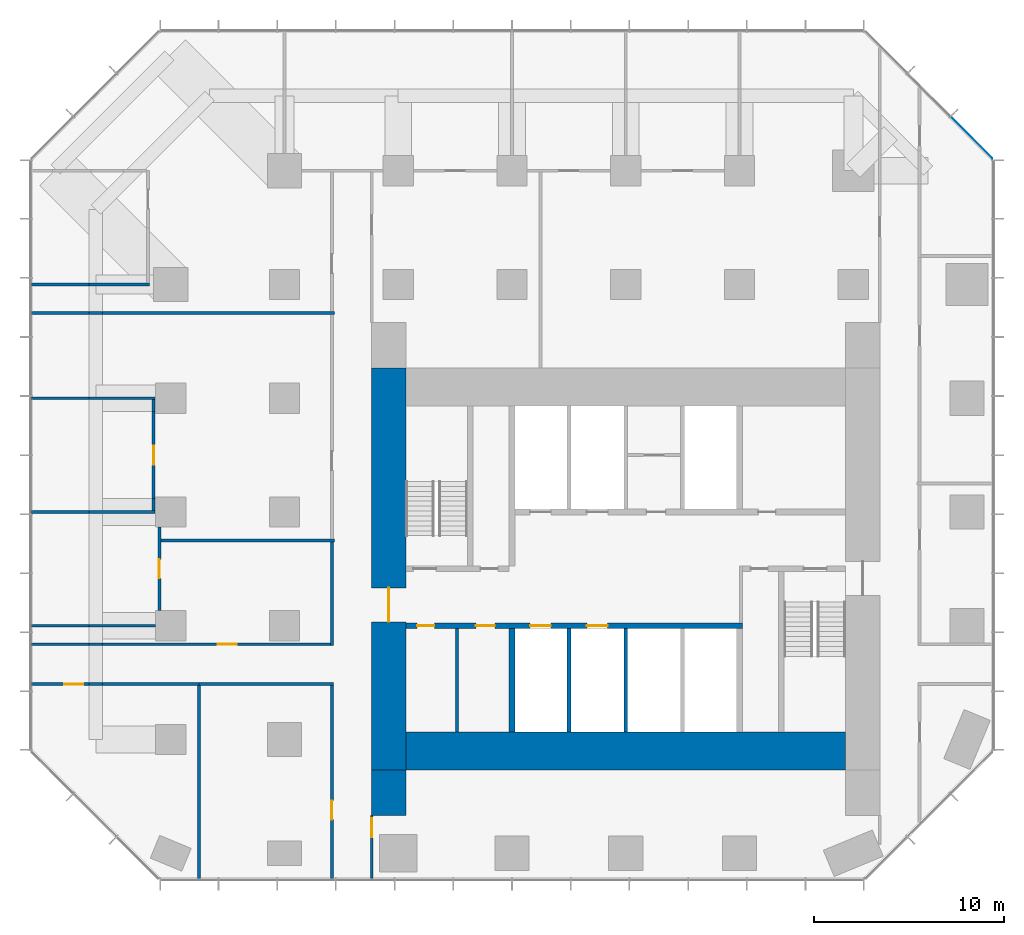
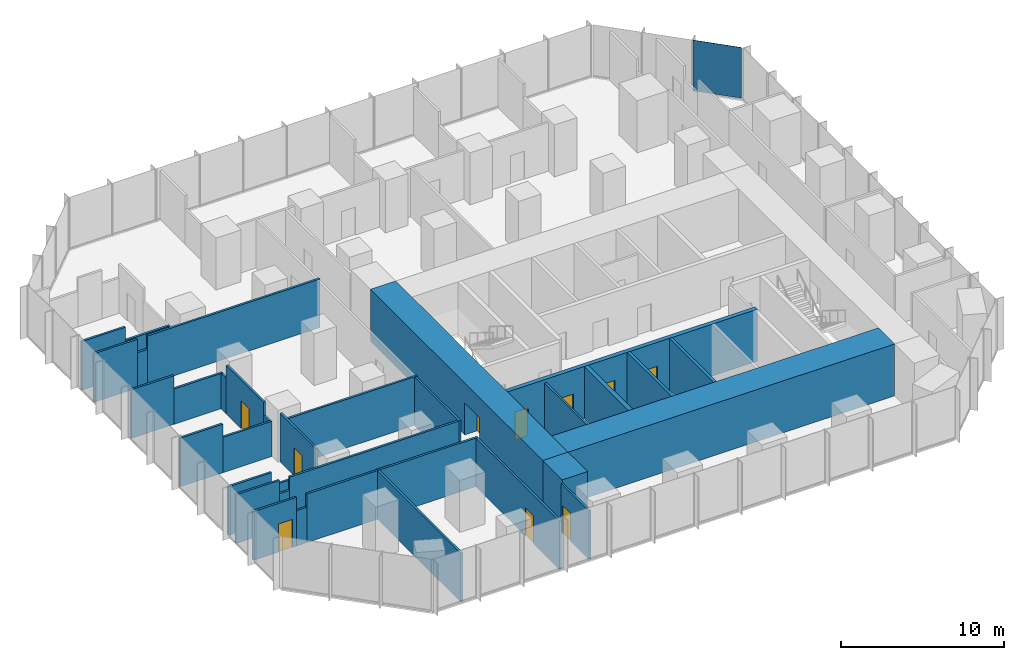
# One storey, part 8 of 11: 35 walls, 11 doors, 1 plate, 11 openings, 1 element without a shape of its own.
"""IFC4 building model written with IfcOpenShell, lengths in metres."""

from ifc_helpers import new_model, si_unit, direction, frame, frame_2d, origin, origin_2d, place, context, subcontext, project, spatial, rectangle, extrude, material, layer, layer_set, type_object, element, fill, aggregate, save


model = new_model("IFC4")

# Units and contexts
model_context = context("Model", 3, precision=1e-05, world=origin(), true_north=direction((0.0, 1.0)))
body_context = subcontext(model_context, "Body", "Model", "MODEL_VIEW")
ifc_project = project(units=[si_unit("LENGTHUNIT", "METRE"), si_unit("AREAUNIT", "SQUARE_METRE"), si_unit("VOLUMEUNIT", "CUBIC_METRE"), si_unit("PLANEANGLEUNIT", "RADIAN"), si_unit("MASSUNIT", "GRAM", prefix="KILO")], contexts=[model_context])

# Site, building, storey
site_placement = place(None, origin())
site = spatial("IfcSite", under=ifc_project, at=site_placement, CompositionType="ELEMENT")
building_placement = place(site_placement, origin())
building = spatial("IfcBuilding", under=site, at=building_placement, Name="Highveld Stack Headquarters", CompositionType="ELEMENT")
storey_placement = place(building_placement, frame((0.0, 0.0, 109.39990234375)))
storey = spatial("IfcBuildingStorey", under=building, at=storey_placement, Name="L26", CompositionType="ELEMENT", Elevation=109.39990234375)

# Curtain wall, plate
ifc_material_1 = material(Name="Aluminium bronze anodised", Category="aluminium")
ifc_layer_1 = layer(ifc_material_1, 0.199951171875)
ifc_layer_set_1 = layer_set([ifc_layer_1], Name="Aluminium bronze anodised")
curtain_wall_type = type_object("IfcCurtainWallType", Name="CW2 TOWER CHAMFER UNITISED CURTAIN WALL", PredefinedType="NOTDEFINED", material=ifc_layer_set_1)
curtain_wall_placement = place(storey_placement, origin())
curtain_wall = element("IfcCurtainWall", 1, at=curtain_wall_placement, inside=storey, type_object=curtain_wall_type, Name="Curtain wall CW2 L26 NE", PredefinedType="NOTDEFINED")
ifc_material_2 = material(Name="Glass bronze tinted double glazed unit", Category="glass")
ifc_layer_2 = layer(ifc_material_2, 0.028076171875)
ifc_layer_set_2 = layer_set([ifc_layer_2], Name="Glass bronze tinted double glazed unit")
plate_type = type_object("IfcPlateType", Name="CW2 PANEL BRONZE TINTED DOUBLE GLAZED UNIT", PredefinedType="CURTAIN_PANEL", material=ifc_layer_set_2)
plate_placement = place(storey_placement, frame((24.239501953125, 25.740478515625, 0.10009765625), z_axis=(0.0, 0.0, 1.0), x_axis=(-0.707106781187, 0.707106781187, 0.0)))
plate = element("IfcPlate", 2, at=plate_placement, type_object=plate_type, Name="CW2 panel L26 1.1", PredefinedType="CURTAIN_PANEL", context=body_context, shape_type="SweptSolid", body=[
    extrude(rectangle(XDim=3.08251953125, YDim=0.028076171875, at=origin_2d()), origin(), (0.0, 0.0, 1.0), 3.800048828125),
])
aggregate(curtain_wall, [plate])

# Wall, opening, door
ifc_material_3 = material(Name="Concrete C60/75", Category="concrete")
ifc_layer_3 = layer(ifc_material_3, 1.800048828125)
ifc_layer_set_3 = layer_set([ifc_layer_3], Name="Concrete C60/75")
wall_type_1 = type_object("IfcWallType", Name="CORE WALL 1800 C60/75", PredefinedType="SHEAR", material=ifc_layer_set_3)
wall_1_placement = place(storey_placement, frame((-6.5, -7.60009765625, 0.0), z_axis=(0.0, 0.0, 1.0), x_axis=(0.0, 1.0, 0.0)))
wall_1 = element("IfcWall", 3, at=wall_1_placement, inside=storey, type_object=wall_type_1, Name="Core wall W L26", PredefinedType="SHEAR", context=body_context, shape_type="SweptSolid", body=[
    extrude(rectangle(XDim=21.2001953125, YDim=1.800048828125, at=frame_2d((10.60009765625, 0.0))), origin(), (0.0, 0.0, 1.0), 3.900146484375),
])
opening_1_placement = place(wall_1_placement, frame((7.800048828125, 0.0, 0.0)))
opening_1 = element("IfcOpeningElement", 4, at=opening_1_placement, cuts=wall_1, Name="Opening L26-01", PredefinedType="OPENING", context=body_context, shape_type="SweptSolid", body=[
    extrude(rectangle(XDim=1.800048828125, YDim=2.39990234375, at=frame_2d((0.89990234375, 1.199951171875))), frame((0.0, 0.909912109375, 0.0), z_axis=(0.0, -1.0, 0.0), x_axis=(1.0, 0.0, 0.0)), (0.0, 0.0, 1.0), 1.820068359375),
])
ifc_material_4 = material(Name="Steel fire door", Category="steel")
door_type_1 = type_object("IfcDoorType", Name="LOBBY FIRE DOOR D4 1800x2400", OperationType="DOUBLE_DOOR_SINGLE_SWING", PredefinedType="DOOR", material=ifc_material_4)
door_1_placement = place(opening_1_placement, origin())
door_1 = element("IfcDoor", 5, at=door_1_placement, inside=storey, type_object=door_type_1, Name="Core west door L26", OperationType="DOUBLE_DOOR_SINGLE_SWING", OverallHeight=2.39990234375, OverallWidth=1.800048828125, PredefinedType="DOOR", context=body_context, shape_type="SweptSolid", body=[
    extrude(rectangle(XDim=1.800048828125, YDim=2.39990234375, at=frame_2d((0.89990234375, 1.199951171875))), frame((0.0, 0.02490234375, 0.0), z_axis=(0.0, -1.0, 0.0), x_axis=(1.0, 0.0, 0.0)), (0.0, 0.0, 1.0), 0.050048828125),
])
fill(opening_1, door_1)

# Wall
ifc_material_5 = material(Name="Concrete C60/75", Category="concrete")
ifc_layer_4 = layer(ifc_material_5, 2.0)
ifc_layer_set_4 = layer_set([ifc_layer_4], Name="Concrete C60/75")
wall_type_2 = type_object("IfcWallType", Name="CORE WALL 2000 C60/75", PredefinedType="SHEAR", material=ifc_layer_set_4)
wall_2_placement = place(storey_placement, frame((-5.60009765625, -6.60009765625, 0.0), z_axis=(0.0, 0.0, 1.0), x_axis=(1.0, 0.0, 0.0)))
element("IfcWall", 6, at=wall_2_placement, inside=storey, type_object=wall_type_2, Name="Core wall S L26", PredefinedType="SHEAR", context=body_context, shape_type="SweptSolid", body=[
    extrude(rectangle(XDim=23.2001953125, YDim=2.0, at=frame_2d((11.60009765625, 0.0))), origin(), (0.0, 0.0, 1.0), 3.900146484375),
])

# Wall, openings, doors
ifc_material_6 = material(Name="Concrete C60/75", Category="concrete")
ifc_layer_5 = layer(ifc_material_6, 0.300048828125)
ifc_layer_set_5 = layer_set([ifc_layer_5], Name="Concrete C60/75")
wall_type_3 = type_object("IfcWallType", Name="CORE WALL 300 C60/75", PredefinedType="SHEAR", material=ifc_layer_set_5)
wall_3_placement = place(storey_placement, frame((-5.60009765625, 0.0, 0.0), z_axis=(0.0, 0.0, 1.0), x_axis=(1.0, 0.0, 0.0)))
wall_3 = element("IfcWall", 7, at=wall_3_placement, inside=storey, type_object=wall_type_3, Name="Core wall I-Y0 L26", PredefinedType="SHEAR", context=body_context, shape_type="SweptSolid", body=[
    extrude(rectangle(XDim=17.75, YDim=0.300048828125, at=frame_2d((8.875, 0.0))), origin(), (0.0, 0.0, 1.0), 3.900146484375),
])
opening_2_placement = place(wall_3_placement, frame((0.60009765625, 0.0, 0.0)))
opening_2 = element("IfcOpeningElement", 8, at=opening_2_placement, cuts=wall_3, Name="Opening L26-07", PredefinedType="OPENING", context=body_context, shape_type="SweptSolid", body=[
    extrude(rectangle(XDim=0.89990234375, YDim=2.10009765625, at=frame_2d((0.449951171875, 1.050048828125))), frame((0.0, 0.159912109375, 0.0), z_axis=(0.0, -1.0, 0.0), x_axis=(1.0, 0.0, 0.0)), (0.0, 0.0, 1.0), 0.320068359375),
])
opening_3_placement = place(wall_3_placement, frame((3.699951171875, 0.0, 0.0)))
opening_3 = element("IfcOpeningElement", 9, at=opening_3_placement, cuts=wall_3, Name="Opening L26-08", PredefinedType="OPENING", context=body_context, shape_type="SweptSolid", body=[
    extrude(rectangle(XDim=1.0, YDim=2.10009765625, at=frame_2d((0.5, 1.050048828125))), frame((0.0, 0.159912109375, 0.0), z_axis=(0.0, -1.0, 0.0), x_axis=(1.0, 0.0, 0.0)), (0.0, 0.0, 1.0), 0.320068359375),
])
opening_4_placement = place(wall_3_placement, frame((6.550048828125, 0.0, 0.0)))
opening_4 = element("IfcOpeningElement", 10, at=opening_4_placement, cuts=wall_3, Name="Opening LD", PredefinedType="OPENING", context=body_context, shape_type="SweptSolid", body=[
    extrude(rectangle(XDim=1.10009765625, YDim=2.10009765625, at=frame_2d((0.550048828125, 1.050048828125))), frame((0.0, 0.159912109375, 0.0), z_axis=(0.0, -1.0, 0.0), x_axis=(1.0, 0.0, 0.0)), (0.0, 0.0, 1.0), 0.320068359375),
])
opening_5_placement = place(wall_3_placement, frame((9.550048828125, 0.0, 0.0)))
opening_5 = element("IfcOpeningElement", 11, at=opening_5_placement, cuts=wall_3, Name="Opening LD", PredefinedType="OPENING", context=body_context, shape_type="SweptSolid", body=[
    extrude(rectangle(XDim=1.10009765625, YDim=2.10009765625, at=frame_2d((0.550048828125, 1.050048828125))), frame((0.0, 0.159912109375, 0.0), z_axis=(0.0, -1.0, 0.0), x_axis=(1.0, 0.0, 0.0)), (0.0, 0.0, 1.0), 0.320068359375),
])
ifc_material_7 = material(Name="Timber door, painted", Category="wood")
door_type_2 = type_object("IfcDoorType", Name="ACCESSIBLE WC DOOR D2 1000x2100", OperationType="SINGLE_SWING_RIGHT", PredefinedType="DOOR", material=ifc_material_7)
door_2_placement = place(opening_3_placement, origin())
door_2 = element("IfcDoor", 12, at=door_2_placement, inside=storey, type_object=door_type_2, Name="Accessible WC door L26", OperationType="SINGLE_SWING_LEFT", OverallHeight=2.10009765625, OverallWidth=1.0, PredefinedType="DOOR", context=body_context, shape_type="SweptSolid", body=[
    extrude(rectangle(XDim=1.0, YDim=2.10009765625, at=frame_2d((0.5, 1.050048828125))), frame((0.0, 0.02490234375, 0.0), z_axis=(0.0, -1.0, 0.0), x_axis=(1.0, 0.0, 0.0)), (0.0, 0.0, 1.0), 0.050048828125),
])
fill(opening_3, door_2)
ifc_material_8 = material(Name="Stainless steel lift landing door", Category="steel")
door_type_3 = type_object("IfcDoorType", Name="LIFT LANDING DOOR LD 1100x2100", OperationType="DOUBLE_DOOR_SLIDING", PredefinedType="USERDEFINED", material=ifc_material_8)
door_3_placement = place(opening_4_placement, origin())
door_3 = element("IfcDoor", 13, at=door_3_placement, inside=storey, type_object=door_type_3, Name="Lift landing door B1 L26", ObjectType="LIFT LANDING DOOR", OperationType="DOUBLE_DOOR_SLIDING", OverallHeight=2.10009765625, OverallWidth=1.10009765625, PredefinedType="USERDEFINED", context=body_context, shape_type="SweptSolid", body=[
    extrude(rectangle(XDim=1.10009765625, YDim=2.10009765625, at=frame_2d((0.550048828125, 1.050048828125))), frame((0.0, 0.02490234375, 0.0), z_axis=(0.0, -1.0, 0.0), x_axis=(1.0, 0.0, 0.0)), (0.0, 0.0, 1.0), 0.050048828125),
])
fill(opening_4, door_3)
door_4_placement = place(opening_5_placement, origin())
door_4 = element("IfcDoor", 14, at=door_4_placement, inside=storey, type_object=door_type_3, Name="Lift landing door B2 L26", ObjectType="LIFT LANDING DOOR", OperationType="DOUBLE_DOOR_SLIDING", OverallHeight=2.10009765625, OverallWidth=1.10009765625, PredefinedType="USERDEFINED", context=body_context, shape_type="SweptSolid", body=[
    extrude(rectangle(XDim=1.10009765625, YDim=2.10009765625, at=frame_2d((0.550048828125, 1.050048828125))), frame((0.0, 0.02490234375, 0.0), z_axis=(0.0, -1.0, 0.0), x_axis=(1.0, 0.0, 0.0)), (0.0, 0.0, 1.0), 0.050048828125),
])
fill(opening_5, door_4)
ifc_material_9 = material(Name="Timber door, painted", Category="wood")
door_type_4 = type_object("IfcDoorType", Name="WC DOOR D1 900x2100", OperationType="SINGLE_SWING_LEFT", PredefinedType="DOOR", material=ifc_material_9)
door_5_placement = place(opening_2_placement, origin())
door_5 = element("IfcDoor", 15, at=door_5_placement, inside=storey, type_object=door_type_4, Name="Female WC door L26", OperationType="SINGLE_SWING_LEFT", OverallHeight=2.10009765625, OverallWidth=0.89990234375, PredefinedType="DOOR", context=body_context, shape_type="SweptSolid", body=[
    extrude(rectangle(XDim=0.89990234375, YDim=2.10009765625, at=frame_2d((0.449951171875, 1.050048828125))), frame((0.0, 0.02490234375, 0.0), z_axis=(0.0, -1.0, 0.0), x_axis=(1.0, 0.0, 0.0)), (0.0, 0.0, 1.0), 0.050048828125),
])
fill(opening_2, door_5)

# Walls
wall_4_placement = place(storey_placement, frame((0.0, -5.60009765625, 0.0), z_axis=(0.0, 0.0, 1.0), x_axis=(0.0, 1.0, 0.0)))
element("IfcWall", 16, at=wall_4_placement, inside=storey, type_object=wall_type_3, Name="Core wall I-X0S L26", PredefinedType="SHEAR", context=body_context, shape_type="SweptSolid", body=[
    extrude(rectangle(XDim=5.4501953125, YDim=0.300048828125, at=frame_2d((2.72509765625, 0.0))), origin(), (0.0, 0.0, 1.0), 3.900146484375),
])
ifc_material_10 = material(Name="Concrete C60/75", Category="concrete")
ifc_layer_6 = layer(ifc_material_10, 1.800048828125)
ifc_layer_set_6 = layer_set([ifc_layer_6], Name="Concrete C60/75")
wall_type_4 = type_object("IfcWallType", Name="CORE WING WALL 1800 C60/75", PredefinedType="SHEAR", material=ifc_layer_set_6)
wall_5_placement = place(storey_placement, frame((-6.5, -10.0, 0.0), z_axis=(0.0, 0.0, 1.0), x_axis=(0.0, 1.0, 0.0)))
element("IfcWall", 17, at=wall_5_placement, inside=storey, type_object=wall_type_4, Name="Core wing wall WS L26", PredefinedType="SHEAR", context=body_context, shape_type="SweptSolid", body=[
    extrude(rectangle(XDim=2.39990234375, YDim=1.800048828125, at=frame_2d((1.199951171875, 0.0))), origin(), (0.0, 0.0, 1.0), 3.900146484375),
])

# Wall, opening, door
ifc_material_11 = material(Name="Laminated glass in aluminium frame", Category="aluminium")
ifc_layer_7 = layer(ifc_material_11, 0.14990234375)
ifc_layer_set_7 = layer_set([ifc_layer_7], Name="Laminated glass in aluminium frame")
wall_type_5 = type_object("IfcWallType", Name="GLAZED PARTITION 150", PredefinedType="PARTITIONING", material=ifc_layer_set_7)
wall_6_placement = place(storey_placement, frame((-18.60009765625, 0.800048828125, 0.0), z_axis=(0.0, 0.0, 1.0), x_axis=(0.0, 1.0, 0.0)))
wall_6 = element("IfcWall", 18, at=wall_6_placement, inside=storey, type_object=wall_type_5, Name="Glazed partition Video conference room L26", PredefinedType="PARTITIONING", context=body_context, shape_type="SweptSolid", body=[
    extrude(rectangle(XDim=4.39990234375, YDim=0.14990234375, at=frame_2d((2.199951171875, 0.0))), origin(), (0.0, 0.0, 1.0), 3.650146484375),
])
opening_6_placement = place(wall_6_placement, frame((1.699951171875, 0.0, 0.0)))
opening_6 = element("IfcOpeningElement", 19, at=opening_6_placement, cuts=wall_6, Name="Opening L26-12", PredefinedType="OPENING", context=body_context, shape_type="SweptSolid", body=[
    extrude(rectangle(XDim=1.0, YDim=2.10009765625, at=frame_2d((0.5, 1.050048828125))), frame((0.0, 0.0849609375, 0.0), z_axis=(0.0, -1.0, 0.0), x_axis=(1.0, 0.0, 0.0)), (0.0, 0.0, 1.0), 0.169921875),
])
ifc_material_12 = material(Name="Timber door, oiled ash", Category="wood")
door_type_5 = type_object("IfcDoorType", Name="ROOM DOOR D6 1000x2100", OperationType="SINGLE_SWING_LEFT", PredefinedType="DOOR", material=ifc_material_12)
door_6_placement = place(opening_6_placement, origin())
door_6 = element("IfcDoor", 20, at=door_6_placement, inside=storey, type_object=door_type_5, Name="Video conference room door 1 L26", OperationType="SINGLE_SWING_RIGHT", OverallHeight=2.10009765625, OverallWidth=1.0, PredefinedType="DOOR", context=body_context, shape_type="SweptSolid", body=[
    extrude(rectangle(XDim=1.0, YDim=2.10009765625, at=frame_2d((0.5, 1.050048828125))), frame((0.0, 0.02490234375, 0.0), z_axis=(0.0, -1.0, 0.0), x_axis=(1.0, 0.0, 0.0)), (0.0, 0.0, 1.0), 0.050048828125),
])
fill(opening_6, door_6)

# Walls
ifc_material_13 = material(Name="Concrete blockwork, fair-faced", Category="masonry")
ifc_layer_8 = layer(ifc_material_13, 0.199951171875)
ifc_layer_set_8 = layer_set([ifc_layer_8], Name="Concrete blockwork, fair-faced")
wall_type_6 = type_object("IfcWallType", Name="LIFT SHAFT ENCLOSURE WALL 200 BLOCKWORK", PredefinedType="SOLIDWALL", material=ifc_layer_set_8)
for number, where, z_axis, x_axis, name in (
    (21, (3.0, -5.60009765625, 0.0), (0.0, 0.0, 1.0), (0.0, 1.0, 0.0), "Lift shaft wall L26"),
    (22, (6.0, -5.60009765625, 0.0), (0.0, 0.0, 1.0), (0.0, 1.0, 0.0), "Lift shaft wall L26"),
):
    element("IfcWall", number, at=place(storey_placement, frame(where, z_axis=z_axis, x_axis=x_axis)), inside=storey, type_object=wall_type_6, Name=name, PredefinedType="SOLIDWALL", context=body_context, shape_type="SweptSolid", body=[
        extrude(rectangle(XDim=5.4501953125, YDim=0.199951171875, at=frame_2d((2.72509765625, 0.0))), origin(), (0.0, 0.0, 1.0), 3.900146484375),
    ])
ifc_material_14 = material(Name="Gypsum plasterboard on steel studs", Category="steel")
ifc_layer_9 = layer(ifc_material_14, 0.14990234375)
ifc_layer_set_9 = layer_set([ifc_layer_9], Name="Gypsum plasterboard on steel studs")
wall_type_7 = type_object("IfcWallType", Name="PARTITION 150 PLASTERBOARD", PredefinedType="PARTITIONING", material=ifc_layer_set_9)
wall_7_placement = place(storey_placement, frame((-25.39990234375, 0.0, 0.0), z_axis=(0.0, 0.0, 1.0), x_axis=(1.0, 0.0, 0.0)))
element("IfcWall", 23, at=wall_7_placement, inside=storey, type_object=wall_type_7, Name="Partition Video conference room L26", PredefinedType="PARTITIONING", context=body_context, shape_type="SweptSolid", body=[
    extrude(rectangle(XDim=3.08984375, YDim=0.14990234375, at=frame_2d((1.544921875, 0.0))), origin(), (0.0, 0.0, 1.0), 3.650146484375),
])
wall_8_placement = place(storey_placement, frame((-22.31005859375, 0.0, 0.0), z_axis=(0.0, 0.0, 1.0), x_axis=(1.0, 0.0, 0.0)))
element("IfcWall", 24, at=wall_8_placement, inside=storey, type_object=wall_type_7, Name="Partition Video conference room L26", PredefinedType="PARTITIONING", context=body_context, shape_type="SweptSolid", body=[
    extrude(rectangle(XDim=3.510009765625, YDim=0.14990234375, at=frame_2d((1.7548828125, 0.0))), origin(), (0.0, 0.0, 1.0), 2.650146484375),
])
wall_9_placement = place(storey_placement, frame((-25.35009765625, 6.0, 0.0), z_axis=(0.0, 0.0, 1.0), x_axis=(1.0, 0.0, 0.0)))
element("IfcWall", 25, at=wall_9_placement, inside=storey, type_object=wall_type_7, Name="Partition Interview room / Video conference room L26", PredefinedType="PARTITIONING", context=body_context, shape_type="SweptSolid", body=[
    extrude(rectangle(XDim=3.0400390625, YDim=0.14990234375, at=frame_2d((1.52001953125, 0.0))), origin(), (0.0, 0.0, 1.0), 3.650146484375),
])
wall_10_placement = place(storey_placement, frame((-22.31005859375, 6.0, 0.0), z_axis=(0.0, 0.0, 1.0), x_axis=(1.0, 0.0, 0.0)))
element("IfcWall", 26, at=wall_10_placement, inside=storey, type_object=wall_type_7, Name="Partition Interview room / Video conference room L26", PredefinedType="PARTITIONING", context=body_context, shape_type="SweptSolid", body=[
    extrude(rectangle(XDim=3.485107421875, YDim=0.14990234375, at=frame_2d((1.74267578125, 0.0))), origin(), (0.0, 0.0, 1.0), 2.650146484375),
])
wall_11_placement = place(storey_placement, frame((-25.35009765625, 12.0, 0.0), z_axis=(0.0, 0.0, 1.0), x_axis=(1.0, 0.0, 0.0)))
element("IfcWall", 27, at=wall_11_placement, inside=storey, type_object=wall_type_7, Name="Partition Interview room L26", PredefinedType="PARTITIONING", context=body_context, shape_type="SweptSolid", body=[
    extrude(rectangle(XDim=3.0400390625, YDim=0.14990234375, at=frame_2d((1.52001953125, 0.0))), origin(), (0.0, 0.0, 1.0), 3.650146484375),
])
wall_12_placement = place(storey_placement, frame((-22.31005859375, 12.0, 0.0), z_axis=(0.0, 0.0, 1.0), x_axis=(1.0, 0.0, 0.0)))
element("IfcWall", 28, at=wall_12_placement, inside=storey, type_object=wall_type_7, Name="Partition Interview room L26", PredefinedType="PARTITIONING", context=body_context, shape_type="SweptSolid", body=[
    extrude(rectangle(XDim=3.485107421875, YDim=0.14990234375, at=frame_2d((1.74267578125, 0.0))), origin(), (0.0, 0.0, 1.0), 2.650146484375),
])
wall_13_placement = place(storey_placement, frame((-25.39990234375, 18.0, 0.0), z_axis=(0.0, 0.0, 1.0), x_axis=(1.0, 0.0, 0.0)))
element("IfcWall", 29, at=wall_13_placement, inside=storey, type_object=wall_type_7, Name="Partition Tea kitchen L26", PredefinedType="PARTITIONING", context=body_context, shape_type="SweptSolid", body=[
    extrude(rectangle(XDim=3.08984375, YDim=0.14990234375, at=frame_2d((1.544921875, 0.0))), origin(), (0.0, 0.0, 1.0), 3.650146484375),
])
wall_14_placement = place(storey_placement, frame((-22.31005859375, 18.0, 0.0), z_axis=(0.0, 0.0, 1.0), x_axis=(1.0, 0.0, 0.0)))
element("IfcWall", 30, at=wall_14_placement, inside=storey, type_object=wall_type_7, Name="Partition Tea kitchen L26", PredefinedType="PARTITIONING", context=body_context, shape_type="SweptSolid", body=[
    extrude(rectangle(XDim=3.18505859375, YDim=0.14990234375, at=frame_2d((1.592529296875, 0.0))), origin(), (0.0, 0.0, 1.0), 2.650146484375),
])
wall_15_placement = place(storey_placement, frame((-18.89990234375, 6.074951171875, 0.0), z_axis=(0.0, 0.0, 1.0), x_axis=(0.0, 1.0, 0.0)))
element("IfcWall", 31, at=wall_15_placement, inside=storey, type_object=wall_type_7, Name="Partition Interview room L26", PredefinedType="PARTITIONING", context=body_context, shape_type="SweptSolid", body=[
    extrude(rectangle(XDim=0.635009765625, YDim=0.14990234375, at=frame_2d((0.3173828125, 0.0))), origin(), (0.0, 0.0, 1.0), 2.650146484375),
])

# Wall, opening, door
wall_16_placement = place(storey_placement, frame((-18.89990234375, 6.7099609375, 0.0), z_axis=(0.0, 0.0, 1.0), x_axis=(0.0, 1.0, 0.0)))
wall_16 = element("IfcWall", 32, at=wall_16_placement, inside=storey, type_object=wall_type_7, Name="Partition Interview room L26", PredefinedType="PARTITIONING", context=body_context, shape_type="SweptSolid", body=[
    extrude(rectangle(XDim=4.580078125, YDim=0.14990234375, at=frame_2d((2.2900390625, 0.0))), origin(), (0.0, 0.0, 1.0), 3.650146484375),
])
opening_7_placement = place(wall_16_placement, frame((1.7900390625, 0.0, 0.0)))
opening_7 = element("IfcOpeningElement", 33, at=opening_7_placement, cuts=wall_16, Name="Opening L26-13", PredefinedType="OPENING", context=body_context, shape_type="SweptSolid", body=[
    extrude(rectangle(XDim=1.0, YDim=2.10009765625, at=frame_2d((0.5, 1.050048828125))), frame((0.0, 0.0849609375, 0.0), z_axis=(0.0, -1.0, 0.0), x_axis=(1.0, 0.0, 0.0)), (0.0, 0.0, 1.0), 0.169921875),
])
door_7_placement = place(opening_7_placement, origin())
door_7 = element("IfcDoor", 34, at=door_7_placement, inside=storey, type_object=door_type_5, Name="Interview room door 1 L26", OperationType="SINGLE_SWING_LEFT", OverallHeight=2.10009765625, OverallWidth=1.0, PredefinedType="DOOR", context=body_context, shape_type="SweptSolid", body=[
    extrude(rectangle(XDim=1.0, YDim=2.10009765625, at=frame_2d((0.5, 1.050048828125))), frame((0.0, 0.02490234375, 0.0), z_axis=(0.0, -1.0, 0.0), x_axis=(1.0, 0.0, 0.0)), (0.0, 0.0, 1.0), 0.050048828125),
])
fill(opening_7, door_7)

# Wall
wall_17_placement = place(storey_placement, frame((-18.89990234375, 11.2900390625, 0.0), z_axis=(0.0, 0.0, 1.0), x_axis=(0.0, 1.0, 0.0)))
element("IfcWall", 35, at=wall_17_placement, inside=storey, type_object=wall_type_7, Name="Partition Interview room L26", PredefinedType="PARTITIONING", context=body_context, shape_type="SweptSolid", body=[
    extrude(rectangle(XDim=0.635009765625, YDim=0.14990234375, at=frame_2d((0.3173828125, 0.0))), origin(), (0.0, 0.0, 1.0), 2.650146484375),
])

# Wall, opening, door
wall_18_placement = place(storey_placement, frame((-25.39990234375, -3.074951171875, 0.0), z_axis=(0.0, 0.0, 1.0), x_axis=(1.0, 0.0, 0.0)))
wall_18 = element("IfcWall", 36, at=wall_18_placement, inside=storey, type_object=wall_type_7, Name="Partition office neighbourhood L26", PredefinedType="PARTITIONING", context=body_context, shape_type="SweptSolid", body=[
    extrude(rectangle(XDim=3.08984375, YDim=0.14990234375, at=frame_2d((1.544921875, 0.0))), origin(), (0.0, 0.0, 1.0), 3.650146484375),
])
opening_8_placement = place(wall_18_placement, frame((1.7900390625, 0.0, 0.0)))
opening_8 = element("IfcOpeningElement", 37, at=opening_8_placement, cuts=wall_18, Name="Opening L26-19", PredefinedType="OPENING", context=body_context, shape_type="SweptSolid", body=[
    extrude(rectangle(XDim=1.0, YDim=2.10009765625, at=frame_2d((0.5, 1.050048828125))), frame((0.0, 0.0849609375, 0.0), z_axis=(0.0, -1.0, 0.0), x_axis=(1.0, 0.0, 0.0)), (0.0, 0.0, 1.0), 0.169921875),
])
door_8_placement = place(opening_8_placement, origin())
door_8 = element("IfcDoor", 38, at=door_8_placement, inside=storey, type_object=door_type_5, Name="Office neighbourhood door L26", OperationType="SINGLE_SWING_RIGHT", OverallHeight=2.10009765625, OverallWidth=1.0, PredefinedType="DOOR", context=body_context, shape_type="SweptSolid", body=[
    extrude(rectangle(XDim=1.0, YDim=2.10009765625, at=frame_2d((0.5, 1.050048828125))), frame((0.0, 0.02490234375, 0.0), z_axis=(0.0, -1.0, 0.0), x_axis=(1.0, 0.0, 0.0)), (0.0, 0.0, 1.0), 0.050048828125),
])
fill(opening_8, door_8)

# Walls
wall_19_placement = place(storey_placement, frame((-22.31005859375, -3.074951171875, 0.0), z_axis=(0.0, 0.0, 1.0), x_axis=(1.0, 0.0, 0.0)))
element("IfcWall", 39, at=wall_19_placement, inside=storey, type_object=wall_type_7, Name="Partition office neighbourhood L26", PredefinedType="PARTITIONING", context=body_context, shape_type="SweptSolid", body=[
    extrude(rectangle(XDim=0.719970703125, YDim=0.14990234375, at=frame_2d((0.35986328125, 0.0))), origin(), (0.0, 0.0, 1.0), 2.650146484375),
])
wall_20_placement = place(storey_placement, frame((-21.590087890625, -3.074951171875, 0.0), z_axis=(0.0, 0.0, 1.0), x_axis=(1.0, 0.0, 0.0)))
element("IfcWall", 40, at=wall_20_placement, inside=storey, type_object=wall_type_7, Name="Partition office neighbourhood L26", PredefinedType="PARTITIONING", context=body_context, shape_type="SweptSolid", body=[
    extrude(rectangle(XDim=5.090087890625, YDim=0.14990234375, at=frame_2d((2.544921875, 0.0))), origin(), (0.0, 0.0, 1.0), 3.650146484375),
])
wall_21_placement = place(storey_placement, frame((-25.39990234375, -0.97509765625, 0.0), z_axis=(0.0, 0.0, 1.0), x_axis=(1.0, 0.0, 0.0)))
element("IfcWall", 41, at=wall_21_placement, inside=storey, type_object=wall_type_7, Name="Partition office neighbourhood L26", PredefinedType="PARTITIONING", context=body_context, shape_type="SweptSolid", body=[
    extrude(rectangle(XDim=3.08984375, YDim=0.14990234375, at=frame_2d((1.544921875, 0.0))), origin(), (0.0, 0.0, 1.0), 3.650146484375),
])
wall_22_placement = place(storey_placement, frame((-22.31005859375, -0.97509765625, 0.0), z_axis=(0.0, 0.0, 1.0), x_axis=(1.0, 0.0, 0.0)))
element("IfcWall", 42, at=wall_22_placement, inside=storey, type_object=wall_type_7, Name="Partition office neighbourhood L26", PredefinedType="PARTITIONING", context=body_context, shape_type="SweptSolid", body=[
    extrude(rectangle(XDim=0.719970703125, YDim=0.14990234375, at=frame_2d((0.35986328125, 0.0))), origin(), (0.0, 0.0, 1.0), 2.650146484375),
])

# Wall, opening, door
wall_23_placement = place(storey_placement, frame((-21.590087890625, -0.97509765625, 0.0), z_axis=(0.0, 0.0, 1.0), x_axis=(1.0, 0.0, 0.0)))
wall_23 = element("IfcWall", 43, at=wall_23_placement, inside=storey, type_object=wall_type_7, Name="Partition office neighbourhood L26", PredefinedType="PARTITIONING", context=body_context, shape_type="SweptSolid", body=[
    extrude(rectangle(XDim=12.01513671875, YDim=0.14990234375, at=frame_2d((6.007568359375, 0.0))), origin(), (0.0, 0.0, 1.0), 3.650146484375),
])
opening_9_placement = place(wall_23_placement, frame((6.06005859375, 0.0, 0.0)))
opening_9 = element("IfcOpeningElement", 44, at=opening_9_placement, cuts=wall_23, Name="Opening L26-21", PredefinedType="OPENING", context=body_context, shape_type="SweptSolid", body=[
    extrude(rectangle(XDim=1.0, YDim=2.10009765625, at=frame_2d((0.5, 1.050048828125))), frame((0.0, 0.0849609375, 0.0), z_axis=(0.0, -1.0, 0.0), x_axis=(1.0, 0.0, 0.0)), (0.0, 0.0, 1.0), 0.169921875),
])
door_9_placement = place(opening_9_placement, origin())
door_9 = element("IfcDoor", 45, at=door_9_placement, inside=storey, type_object=door_type_5, Name="Office neighbourhood door L26", OperationType="SINGLE_SWING_RIGHT", OverallHeight=2.10009765625, OverallWidth=1.0, PredefinedType="DOOR", context=body_context, shape_type="SweptSolid", body=[
    extrude(rectangle(XDim=1.0, YDim=2.10009765625, at=frame_2d((0.5, 1.050048828125))), frame((0.0, 0.02490234375, 0.0), z_axis=(0.0, -1.0, 0.0), x_axis=(1.0, 0.0, 0.0)), (0.0, 0.0, 1.0), 0.050048828125),
])
fill(opening_9, door_9)

# Walls
wall_24_placement = place(storey_placement, frame((-25.39990234375, 16.5, 0.0), z_axis=(0.0, 0.0, 1.0), x_axis=(1.0, 0.0, 0.0)))
element("IfcWall", 46, at=wall_24_placement, inside=storey, type_object=wall_type_7, Name="Partition office neighbourhood L26", PredefinedType="PARTITIONING", context=body_context, shape_type="SweptSolid", body=[
    extrude(rectangle(XDim=3.08984375, YDim=0.14990234375, at=frame_2d((1.544921875, 0.0))), origin(), (0.0, 0.0, 1.0), 3.650146484375),
])
wall_25_placement = place(storey_placement, frame((-22.31005859375, 16.5, 0.0), z_axis=(0.0, 0.0, 1.0), x_axis=(1.0, 0.0, 0.0)))
element("IfcWall", 47, at=wall_25_placement, inside=storey, type_object=wall_type_7, Name="Partition office neighbourhood L26", PredefinedType="PARTITIONING", context=body_context, shape_type="SweptSolid", body=[
    extrude(rectangle(XDim=0.719970703125, YDim=0.14990234375, at=frame_2d((0.35986328125, 0.0))), origin(), (0.0, 0.0, 1.0), 2.650146484375),
])
wall_26_placement = place(storey_placement, frame((-21.590087890625, 16.5, 0.0), z_axis=(0.0, 0.0, 1.0), x_axis=(1.0, 0.0, 0.0)))
element("IfcWall", 48, at=wall_26_placement, inside=storey, type_object=wall_type_7, Name="Partition office neighbourhood L26", PredefinedType="PARTITIONING", context=body_context, shape_type="SweptSolid", body=[
    extrude(rectangle(XDim=12.239990234375, YDim=0.14990234375, at=frame_2d((6.1201171875, 0.0))), origin(), (0.0, 0.0, 1.0), 3.650146484375),
])
wall_27_placement = place(storey_placement, frame((-18.52490234375, 4.5, 0.0), z_axis=(0.0, 0.0, 1.0), x_axis=(1.0, 0.0, 0.0)))
element("IfcWall", 49, at=wall_27_placement, inside=storey, type_object=wall_type_7, Name="Partition office neighbourhood L26", PredefinedType="PARTITIONING", context=body_context, shape_type="SweptSolid", body=[
    extrude(rectangle(XDim=9.1748046875, YDim=0.14990234375, at=frame_2d((4.58740234375, 0.0))), origin(), (0.0, 0.0, 1.0), 3.650146484375),
])
wall_28_placement = place(storey_placement, frame((-16.5, -13.39990234375, 0.0), z_axis=(0.0, 0.0, 1.0), x_axis=(0.0, 1.0, 0.0)))
element("IfcWall", 50, at=wall_28_placement, inside=storey, type_object=wall_type_7, Name="Partition office neighbourhood L26", PredefinedType="PARTITIONING", context=body_context, shape_type="SweptSolid", body=[
    extrude(rectangle(XDim=10.25, YDim=0.14990234375, at=frame_2d((5.125, 0.0))), origin(), (0.0, 0.0, 1.0), 3.650146484375),
])
wall_29_placement = place(storey_placement, frame((-16.5, -3.074951171875, 0.0), z_axis=(0.0, 0.0, 1.0), x_axis=(1.0, 0.0, 0.0)))
element("IfcWall", 51, at=wall_29_placement, inside=storey, type_object=wall_type_7, Name="Partition office neighbourhood L26", PredefinedType="PARTITIONING", context=body_context, shape_type="SweptSolid", body=[
    extrude(rectangle(XDim=7.074951171875, YDim=0.14990234375, at=frame_2d((3.53759765625, 0.0))), origin(), (0.0, 0.0, 1.0), 3.650146484375),
])

# Wall, opening, door
wall_30_placement = place(storey_placement, frame((-9.5, -13.39990234375, 0.0), z_axis=(0.0, 0.0, 1.0), x_axis=(0.0, 1.0, 0.0)))
wall_30 = element("IfcWall", 52, at=wall_30_placement, inside=storey, type_object=wall_type_7, Name="Partition office neighbourhood L26", PredefinedType="PARTITIONING", context=body_context, shape_type="SweptSolid", body=[
    extrude(rectangle(XDim=10.25, YDim=0.14990234375, at=frame_2d((5.125, 0.0))), origin(), (0.0, 0.0, 1.0), 3.650146484375),
])
opening_10_placement = place(wall_30_placement, frame((3.178955078125, 0.0, 0.0)))
opening_10 = element("IfcOpeningElement", 53, at=opening_10_placement, cuts=wall_30, Name="Opening L26-18", PredefinedType="OPENING", context=body_context, shape_type="SweptSolid", body=[
    extrude(rectangle(XDim=1.0, YDim=2.10009765625, at=frame_2d((0.5, 1.050048828125))), frame((0.0, 0.0849609375, 0.0), z_axis=(0.0, -1.0, 0.0), x_axis=(1.0, 0.0, 0.0)), (0.0, 0.0, 1.0), 0.169921875),
])
door_10_placement = place(opening_10_placement, origin())
door_10 = element("IfcDoor", 54, at=door_10_placement, inside=storey, type_object=door_type_5, Name="Office neighbourhood door L26", OperationType="SINGLE_SWING_LEFT", OverallHeight=2.10009765625, OverallWidth=1.0, PredefinedType="DOOR", context=body_context, shape_type="SweptSolid", body=[
    extrude(rectangle(XDim=1.0, YDim=2.10009765625, at=frame_2d((0.5, 1.050048828125))), frame((0.0, 0.02490234375, 0.0), z_axis=(0.0, -1.0, 0.0), x_axis=(1.0, 0.0, 0.0)), (0.0, 0.0, 1.0), 0.050048828125),
])
fill(opening_10, door_10)

# Wall
wall_31_placement = place(storey_placement, frame((-9.5, -1.050048828125, 0.0), z_axis=(0.0, 0.0, 1.0), x_axis=(0.0, 1.0, 0.0)))
element("IfcWall", 55, at=wall_31_placement, inside=storey, type_object=wall_type_7, Name="Partition office neighbourhood L26", PredefinedType="PARTITIONING", context=body_context, shape_type="SweptSolid", body=[
    extrude(rectangle(XDim=5.47509765625, YDim=0.14990234375, at=frame_2d((2.737548828125, 0.0))), origin(), (0.0, 0.0, 1.0), 3.650146484375),
])

# Wall, opening, door
wall_32_placement = place(storey_placement, frame((-7.39990234375, -13.39990234375, 0.0), z_axis=(0.0, 0.0, 1.0), x_axis=(0.0, 1.0, 0.0)))
wall_32 = element("IfcWall", 56, at=wall_32_placement, inside=storey, type_object=wall_type_7, Name="Partition office neighbourhood L26", PredefinedType="PARTITIONING", context=body_context, shape_type="SweptSolid", body=[
    extrude(rectangle(XDim=3.39990234375, YDim=0.14990234375, at=frame_2d((1.699951171875, 0.0))), origin(), (0.0, 0.0, 1.0), 3.650146484375),
])
opening_11_placement = place(wall_32_placement, frame((2.25, 0.0, 0.0)))
opening_11 = element("IfcOpeningElement", 57, at=opening_11_placement, cuts=wall_32, Name="Opening L26-29", PredefinedType="OPENING", context=body_context, shape_type="SweptSolid", body=[
    extrude(rectangle(XDim=1.0, YDim=2.10009765625, at=frame_2d((0.5, 1.050048828125))), frame((0.0, 0.0849609375, 0.0), z_axis=(0.0, -1.0, 0.0), x_axis=(1.0, 0.0, 0.0)), (0.0, 0.0, 1.0), 0.169921875),
])
door_11_placement = place(opening_11_placement, origin())
door_11 = element("IfcDoor", 58, at=door_11_placement, inside=storey, type_object=door_type_5, Name="Office neighbourhood door L26", OperationType="SINGLE_SWING_RIGHT", OverallHeight=2.10009765625, OverallWidth=1.0, PredefinedType="DOOR", context=body_context, shape_type="SweptSolid", body=[
    extrude(rectangle(XDim=1.0, YDim=2.10009765625, at=frame_2d((0.5, 1.050048828125))), frame((0.0, 0.02490234375, 0.0), z_axis=(0.0, -1.0, 0.0), x_axis=(1.0, 0.0, 0.0)), (0.0, 0.0, 1.0), 0.050048828125),
])
fill(opening_11, door_11)

# Wall
ifc_material_15 = material(Name="Concrete blockwork, tiled", Category="masonry")
ifc_layer_10 = layer(ifc_material_15, 0.14990234375)
ifc_layer_set_10 = layer_set([ifc_layer_10], Name="Concrete blockwork, tiled")
wall_type_8 = type_object("IfcWallType", Name="WC PARTITION 150", PredefinedType="PLUMBINGWALL", material=ifc_layer_set_10)
wall_33_placement = place(storey_placement, frame((-2.89990234375, -5.60009765625, 0.0), z_axis=(0.0, 0.0, 1.0), x_axis=(0.0, 1.0, 0.0)))
element("IfcWall", 59, at=wall_33_placement, inside=storey, type_object=wall_type_8, Name="Toilet partition L26", PredefinedType="PLUMBINGWALL", context=body_context, shape_type="SweptSolid", body=[
    extrude(rectangle(XDim=5.4501953125, YDim=0.14990234375, at=frame_2d((2.72509765625, 0.0))), origin(), (0.0, 0.0, 1.0), 3.650146484375),
])

save(model, "model.ifc")
